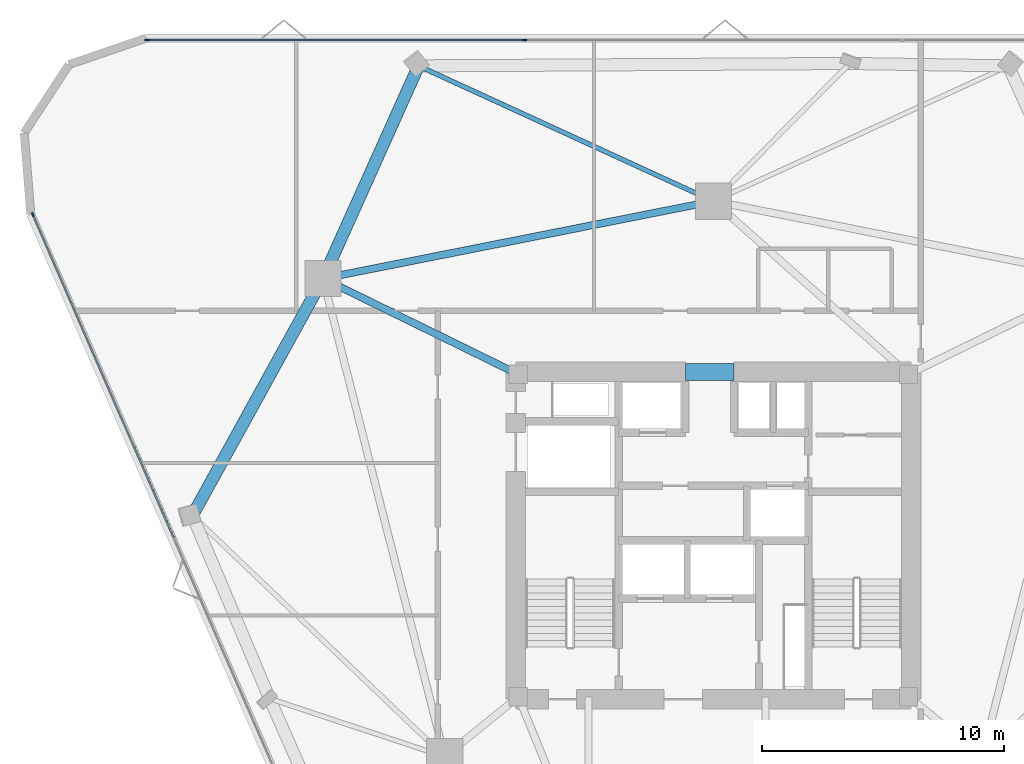
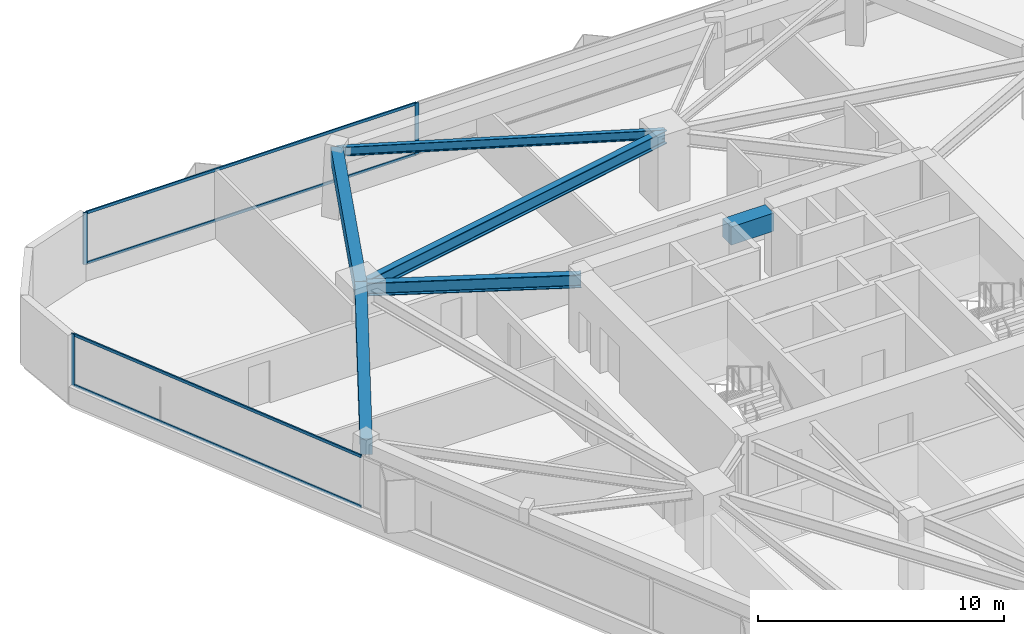
# One storey, part 5 of 13: 7 members, 6 beams, 2 elements without a shape of their own.
"""IFC4 building model written with IfcOpenShell, lengths in metres."""

from ifc_helpers import new_model, si_unit, direction, frame, origin, origin_2d, place, context, subcontext, project, spatial, rectangle, i_section, extrude, material, layer, layer_set, material_profile, profile_set, type_object, element, aggregate, save


model = new_model("IFC4")

# Units and contexts
model_context = context("Model", 3, precision=1e-05, world=origin(), true_north=direction((0.0, 1.0)))
body_context = subcontext(model_context, "Body", "Model", "MODEL_VIEW")
ifc_project = project(units=[si_unit("LENGTHUNIT", "METRE"), si_unit("AREAUNIT", "SQUARE_METRE"), si_unit("VOLUMEUNIT", "CUBIC_METRE"), si_unit("PLANEANGLEUNIT", "RADIAN"), si_unit("MASSUNIT", "GRAM", prefix="KILO")], contexts=[model_context])

# Site, building, storey
site_placement = place(None, origin())
site = spatial("IfcSite", under=ifc_project, at=site_placement, CompositionType="ELEMENT")
building_placement = place(site_placement, origin())
building = spatial("IfcBuilding", under=site, at=building_placement, Name="Talyreon Biosciences Tower", CompositionType="ELEMENT")
storey_placement = place(building_placement, frame((0.0, 0.0, 145.449951171875)))
storey = spatial("IfcBuildingStorey", under=building, at=storey_placement, Name="L38", CompositionType="ELEMENT", Elevation=145.449951171875)

# Curtain wall, member
ifc_material_1 = material(Name="Thermally broken aluminium and low-E glazing", Category="aluminium")
ifc_layer = layer(ifc_material_1, 0.18505859375)
ifc_layer_set = layer_set([ifc_layer], Name="Thermally broken aluminium and low-E glazing")
curtain_wall_type = type_object("IfcCurtainWallType", Name="CurtainWall_Zone3Bioprocess", PredefinedType="NOTDEFINED", material=ifc_layer_set)
curtain_wall_1_placement = place(storey_placement, origin())
curtain_wall_1 = element("IfcCurtainWall", 1, at=curtain_wall_1_placement, inside=storey, type_object=curtain_wall_type, Name="L38 Unitised Curtain Wall FCW-L38-00", PredefinedType="NOTDEFINED")
ifc_material_2 = material(Name="Anodised thermally broken aluminium", Category="aluminium")
ifc_material_profile_1 = material_profile(ifc_material_2, rectangle(XDim=0.06494140625, YDim=0.179931640625, at=origin_2d()), Name="ALUM MULLION 65x180")
ifc_profile_set_1 = profile_set([ifc_material_profile_1], Name="Anodised thermally broken aluminium")
member_type_1 = type_object("IfcMemberType", Name="CWMullion_65x180", PredefinedType="MULLION", material=ifc_profile_set_1)
member_1_placement = place(storey_placement, frame((37.927490234375, 81.2431640625, 0.81005859375), z_axis=(0.0, 0.0, 1.0), x_axis=(-0.916646882049, -0.399698003034, 0.0)))
member_1 = element("IfcMember", 2, at=member_1_placement, type_object=member_type_1, Name="CW4 mullion 5", PredefinedType="MULLION", context=body_context, shape_type="SweptSolid", body=[
    extrude(rectangle(XDim=0.06494140625, YDim=0.179931640625, at=origin_2d()), origin(), (0.0, 0.0, 1.0), 2.56494140625),
])

# Curtain wall, members
curtain_wall_2_placement = place(storey_placement, origin())
curtain_wall_2 = element("IfcCurtainWall", 3, at=curtain_wall_2_placement, inside=storey, type_object=curtain_wall_type, Name="L38 Unitised Curtain Wall FCW-L38-04", PredefinedType="NOTDEFINED")
member_2_placement = place(storey_placement, frame((42.64013671875, 88.439453125, 0.81005859375), z_axis=(0.0, 0.0, 1.0), x_axis=(0.0, 1.0, 0.0)))
member_2 = element("IfcMember", 4, at=member_2_placement, type_object=member_type_1, Name="CW4 mullion 1", PredefinedType="MULLION", context=body_context, shape_type="SweptSolid", body=[
    extrude(rectangle(XDim=0.06494140625, YDim=0.179931640625, at=origin_2d()), origin(), (0.0, 0.0, 1.0), 2.56494140625),
])
member_3_placement = place(storey_placement, frame((58.20263671875, 88.439453125, 0.81005859375), z_axis=(0.0, 0.0, 1.0), x_axis=(0.0, 1.0, 0.0)))
member_3 = element("IfcMember", 5, at=member_3_placement, type_object=member_type_1, Name="CW4 mullion 2", PredefinedType="MULLION", context=body_context, shape_type="SweptSolid", body=[
    extrude(rectangle(XDim=0.06494140625, YDim=0.179931640625, at=origin_2d()), origin(), (0.0, 0.0, 1.0), 2.56494140625),
])

# Member
ifc_material_profile_2 = material_profile(ifc_material_2, rectangle(XDim=0.06494140625, YDim=0.139892578125, at=origin_2d()), Name="ALUM TRANSOM 65x140")
ifc_profile_set_2 = profile_set([ifc_material_profile_2], Name="Anodised thermally broken aluminium")
member_type_2 = type_object("IfcMemberType", Name="CWTransom_65x140", PredefinedType="USERDEFINED", material=ifc_profile_set_2)
member_4_placement = place(storey_placement, frame((43.74951171875, 67.89111328125, 0.842529296875), z_axis=(-0.399697622423, 0.916647048012, 0.0), x_axis=(-0.916647048012, -0.399697622423, 0.0)))
member_4 = element("IfcMember", 6, at=member_4_placement, type_object=member_type_2, Name="CW4 transom 4.1", ObjectType="TRANSOM", PredefinedType="USERDEFINED", context=body_context, shape_type="SweptSolid", body=[
    extrude(rectangle(XDim=0.06494140625, YDim=0.139892578125, at=origin_2d()), origin(), (0.0, 0.0, 1.0), 14.53369140625),
])

member_5_placement = place(storey_placement, frame((43.74951171875, 67.89111328125, 3.342529296875), z_axis=(-0.399697622423, 0.916647048012, 0.0), x_axis=(-0.916647048012, -0.399697622423, 0.0)))
member_5 = element("IfcMember", 7, at=member_5_placement, type_object=member_type_2, Name="CW4 transom 4.2", ObjectType="TRANSOM", PredefinedType="USERDEFINED", context=body_context, shape_type="SweptSolid", body=[
    extrude(rectangle(XDim=0.06494140625, YDim=0.139892578125, at=origin_2d()), origin(), (0.0, 0.0, 1.0), 14.53369140625),
])

aggregate(curtain_wall_1, [member_1, member_4, member_5])

member_6_placement = place(storey_placement, frame((42.672607421875, 88.439453125, 0.842529296875), z_axis=(1.0, 0.0, 0.0), x_axis=(0.0, 1.0, 0.0)))
member_6 = element("IfcMember", 8, at=member_6_placement, type_object=member_type_2, Name="CW4 transom 1.1", ObjectType="TRANSOM", PredefinedType="USERDEFINED", context=body_context, shape_type="SweptSolid", body=[
    extrude(rectangle(XDim=0.06494140625, YDim=0.139892578125, at=origin_2d()), origin(), (0.0, 0.0, 1.0), 15.49755859375),
])

member_7_placement = place(storey_placement, frame((42.672607421875, 88.439453125, 3.342529296875), z_axis=(1.0, 0.0, 0.0), x_axis=(0.0, 1.0, 0.0)))
member_7 = element("IfcMember", 9, at=member_7_placement, type_object=member_type_2, Name="CW4 transom 1.2", ObjectType="TRANSOM", PredefinedType="USERDEFINED", context=body_context, shape_type="SweptSolid", body=[
    extrude(rectangle(XDim=0.06494140625, YDim=0.139892578125, at=origin_2d()), origin(), (0.0, 0.0, 1.0), 15.49755859375),
])

aggregate(curtain_wall_2, [member_2, member_3, member_6, member_7])

# Beams
ifc_material_3 = material(Name="Concrete C60/75", Category="concrete")
ifc_material_profile_3 = material_profile(ifc_material_3, rectangle(XDim=0.699951171875, YDim=0.89990234375, at=origin_2d()), Name="RCB 700x900")
ifc_profile_set_3 = profile_set([ifc_material_profile_3], Name="Concrete C60/75")
beam_type_1 = type_object("IfcBeamType", Name="CoreCouplingLintel_700x900", PredefinedType="LINTEL", material=ifc_profile_set_3)
beam_1_placement = place(storey_placement, frame((64.85009765625, 74.75, 2.925048828125), z_axis=(1.0, 0.0, 0.0), x_axis=(0.0, 1.0, 0.0)))
element("IfcBeam", 10, at=beam_1_placement, inside=storey, type_object=beam_type_1, Name="L38 Core Coupling Lintel", PredefinedType="LINTEL", context=body_context, shape_type="SweptSolid", body=[
    extrude(rectangle(XDim=0.699951171875, YDim=0.89990234375, at=origin_2d()), origin(), (0.0, 0.0, 1.0), 2.0),
])
ifc_material_4 = material(Name="Precast concrete C45/55", Category="concrete")
ifc_material_profile_4 = material_profile(ifc_material_4, rectangle(XDim=0.5, YDim=0.780029296875, at=origin_2d()), Name="RCB 500x780")
ifc_profile_set_4 = profile_set([ifc_material_profile_4], Name="Precast concrete C45/55")
beam_type_2 = type_object("IfcBeamType", Name="ExpressedSpandrel_500x780", PredefinedType="SPANDREL", material=ifc_profile_set_4)
beam_2_placement = place(storey_placement, frame((53.8359375, 87.369384765625, 2.985107421875), z_axis=(-0.409620161688, -0.912256171883, 0.0), x_axis=(0.912256171883, -0.409620161688, 0.0)))
element("IfcBeam", 11, at=beam_2_placement, inside=storey, type_object=beam_type_2, Name="L38 Expressed Horizontal Concrete Spandrel 08", PredefinedType="SPANDREL", context=body_context, shape_type="SweptSolid", body=[
    extrude(rectangle(XDim=0.5, YDim=0.780029296875, at=origin_2d()), origin(), (0.0, 0.0, 1.0), 9.6142578125),
])
beam_3_placement = place(storey_placement, frame((49.897705078125, 78.5986328125, 2.985107421875), z_axis=(-0.482807825933, -0.875726328951, 0.0), x_axis=(0.875726328951, -0.482807825933, 0.0)))
element("IfcBeam", 12, at=beam_3_placement, inside=storey, type_object=beam_type_2, Name="L38 Expressed Horizontal Concrete Spandrel 09", PredefinedType="SPANDREL", context=body_context, shape_type="SweptSolid", body=[
    extrude(rectangle(XDim=0.5, YDim=0.780029296875, at=origin_2d()), origin(), (0.0, 0.0, 1.0), 11.16015625),
])
ifc_material_5 = material(Name="Steel SM355", Category="steel")
ifc_material_profile_5 = material_profile(ifc_material_5, i_section(OverallWidth=0.300048828125, OverallDepth=0.64990234375, WebThickness=0.01611328125, FlangeThickness=0.031005859375, FilletRadius=0.027099609375, at=origin_2d()), Name="HE650B")
ifc_profile_set_5 = profile_set([ifc_material_profile_5], Name="Steel SM355")
beam_type_3 = type_object("IfcBeamType", Name="SteelBeam_HE650B", PredefinedType="BEAM", material=ifc_profile_set_5)
beam_4_placement = place(storey_placement, frame((66.0, 81.788818359375, 3.050048828125), z_axis=(-0.980933730698, -0.194342522311, 0.0), x_axis=(0.194342522311, -0.980933730698, 0.0)))
element("IfcBeam", 13, at=beam_4_placement, inside=storey, type_object=beam_type_3, Name="L38 Mega-Ring Girder 4", PredefinedType="BEAM", context=body_context, shape_type="SweptSolid", body=[
    extrude(i_section(OverallWidth=0.300048828125, OverallDepth=0.64990234375, WebThickness=0.01611328125, FlangeThickness=0.031005859375, FilletRadius=0.027099609375, at=origin_2d()), origin(), (0.0, 0.0, 1.0), 16.415283203125),
])
beam_5_placement = place(storey_placement, frame((57.949951171875, 74.64990234375, 3.050048828125), z_axis=(-0.897852360314, 0.440296648952, 0.0), x_axis=(-0.440296648952, -0.897852360314, 0.0)))
element("IfcBeam", 14, at=beam_5_placement, inside=storey, type_object=beam_type_3, Name="L38 Radial Primary Girder 5", PredefinedType="BEAM", context=body_context, shape_type="SweptSolid", body=[
    extrude(i_section(OverallWidth=0.300048828125, OverallDepth=0.64990234375, WebThickness=0.01611328125, FlangeThickness=0.031005859375, FilletRadius=0.027099609375, at=origin_2d()), origin(), (0.0, 0.0, 1.0), 8.96826171875),
])
ifc_material_profile_6 = material_profile(ifc_material_5, i_section(OverallWidth=0.18994140625, OverallDepth=0.449951171875, WebThickness=0.009521484375, FlangeThickness=0.0146484375, FilletRadius=0.02099609375, at=origin_2d()), Name="IPE450")
ifc_profile_set_6 = profile_set([ifc_material_profile_6], Name="Steel SM355")
beam_type_4 = type_object("IfcBeamType", Name="SteelJoist_IPE450", PredefinedType="JOIST", material=ifc_profile_set_6)
beam_6_placement = place(storey_placement, frame((66.0, 81.788818359375, 3.150146484375), z_axis=(-0.908912750546, 0.416986344974, 0.0), x_axis=(-0.416986344974, -0.908912750546, 0.0)))
element("IfcBeam", 15, at=beam_6_placement, inside=storey, type_object=beam_type_4, Name="L38 Radial Composite Floor Joist PC-N2", PredefinedType="JOIST", context=body_context, shape_type="SweptSolid", body=[
    extrude(i_section(OverallWidth=0.18994140625, OverallDepth=0.449951171875, WebThickness=0.009521484375, FlangeThickness=0.0146484375, FilletRadius=0.02099609375, at=origin_2d()), origin(), (0.0, 0.0, 1.0), 13.383056640625),
])

save(model, "model.ifc")
